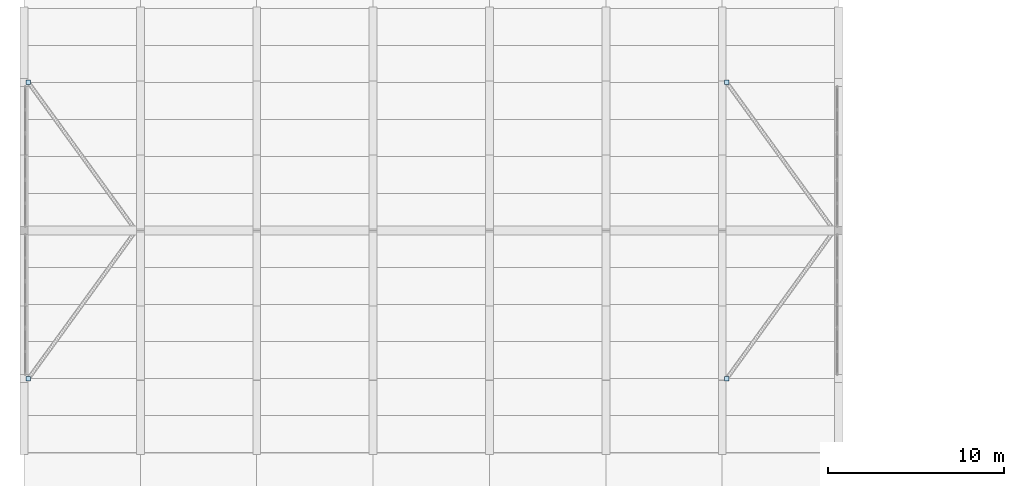
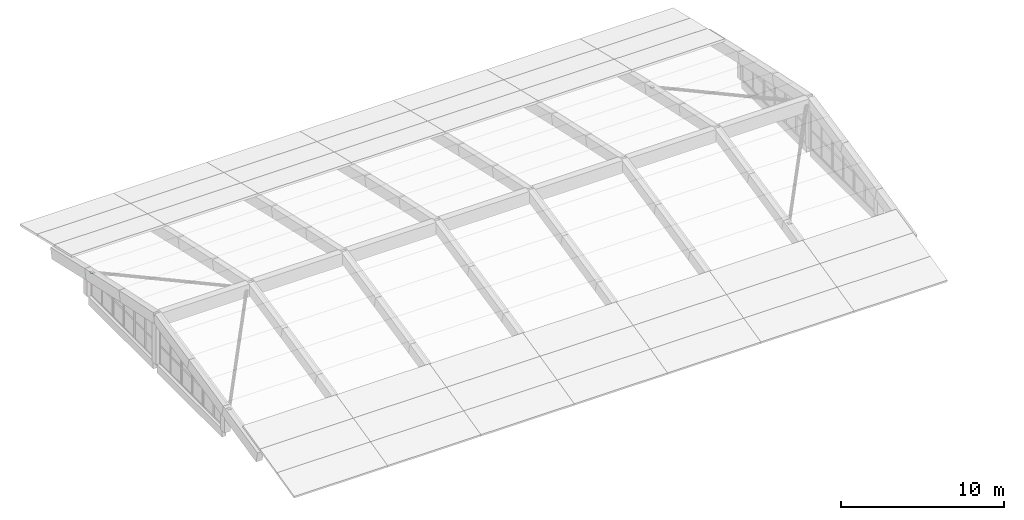
# One storey, part 34 of 47: 4 plates.
"""IFC4 building model written with IfcOpenShell, lengths in metres."""

from ifc_helpers import new_model, si_unit, direction, frame, origin, origin_2d, place, context, subcontext, project, spatial, rectangle, extrude, material, layer, layer_set, type_object, element, save


model = new_model("IFC4")

# Units and contexts
model_context = context("Model", 3, precision=1e-05, world=origin(), true_north=direction((0.0, 1.0)))
body_context = subcontext(model_context, "Body", "Model", "MODEL_VIEW")
ifc_project = project(units=[si_unit("LENGTHUNIT", "METRE"), si_unit("AREAUNIT", "SQUARE_METRE"), si_unit("VOLUMEUNIT", "CUBIC_METRE"), si_unit("PLANEANGLEUNIT", "RADIAN"), si_unit("MASSUNIT", "GRAM", prefix="KILO")], contexts=[model_context])

# Site, building, storey
site_placement = place(None, origin())
site = spatial("IfcSite", under=ifc_project, at=site_placement, CompositionType="ELEMENT")
building_placement = place(site_placement, origin())
building = spatial("IfcBuilding", under=site, at=building_placement, Name="Qaldarim Faculty of Natural and Applied Sciences", CompositionType="ELEMENT")
storey_placement = place(building_placement, frame((0.0, 0.0, 22.800048828125)))
storey = spatial("IfcBuildingStorey", under=building, at=storey_placement, Name="L05", CompositionType="ELEMENT", Elevation=22.800048828125)

# Plates
ifc_material = material(Name="Structural steel S355", Category="steel")
ifc_layer = layer(ifc_material, 0.013916015625)
ifc_layer_set = layer_set([ifc_layer], Name="Structural steel S355")
plate_type = type_object("IfcPlateType", Name="CapPlate-S355-260x260x14", PredefinedType="SHEET", material=ifc_layer_set)
for number, where, z_axis, x_axis, name in (
    (1, (0.25, 42.0, 1.533203125), (0.0, 0.0, 1.0), (1.0, 0.0, 0.0), "Strut end cap plate SH-STRUT-B1-S4 A"),
    (2, (0.25, 58.800048828125, 1.533203125), (0.0, 0.0, 1.0), (1.0, 0.0, 0.0), "Strut end cap plate SH-STRUT-B1-N4 A"),
    (3, (39.85009765625, 42.0, 1.533203125), (0.0, 0.0, 1.0), (1.0, 0.0, 0.0), "Strut end cap plate SH-STRUT-B7-S4 A"),
    (4, (39.85009765625, 58.800048828125, 1.533203125), (0.0, 0.0, 1.0), (1.0, 0.0, 0.0), "Strut end cap plate SH-STRUT-B7-N4 A"),
):
    element("IfcPlate", number, at=place(storey_placement, frame(where, z_axis=z_axis, x_axis=x_axis)), inside=storey, type_object=plate_type, Name=name, PredefinedType="SHEET", context=body_context, shape_type="SweptSolid", body=[
        extrude(rectangle(XDim=0.260009765625, YDim=0.260009765625, at=origin_2d()), origin(), (0.0, 0.0, 1.0), 0.013916015625),
    ])

save(model, "model.ifc")
